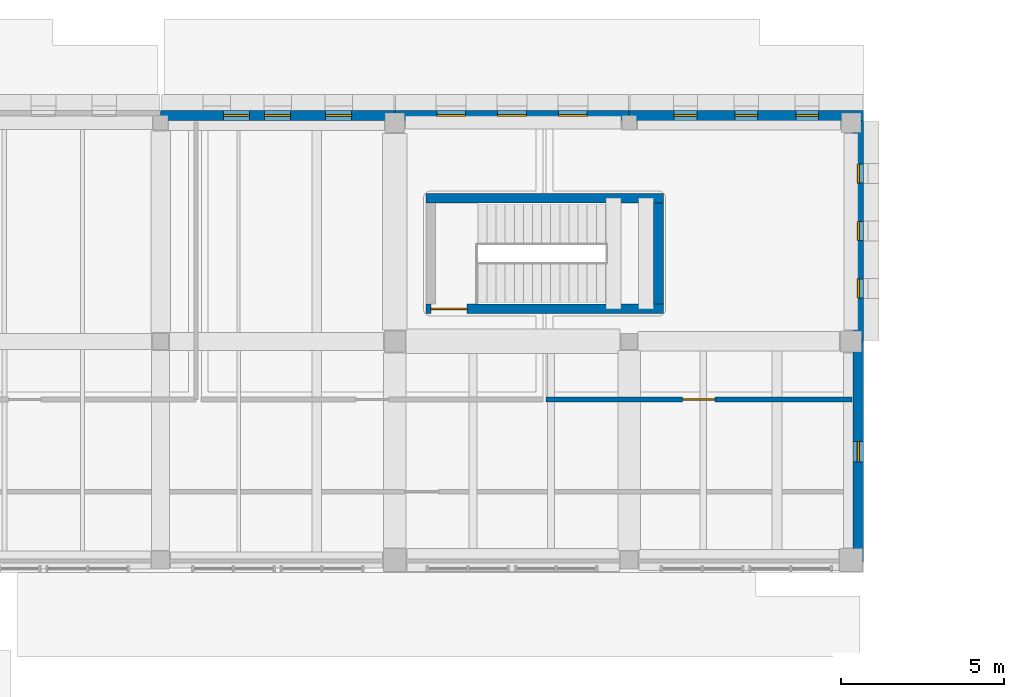
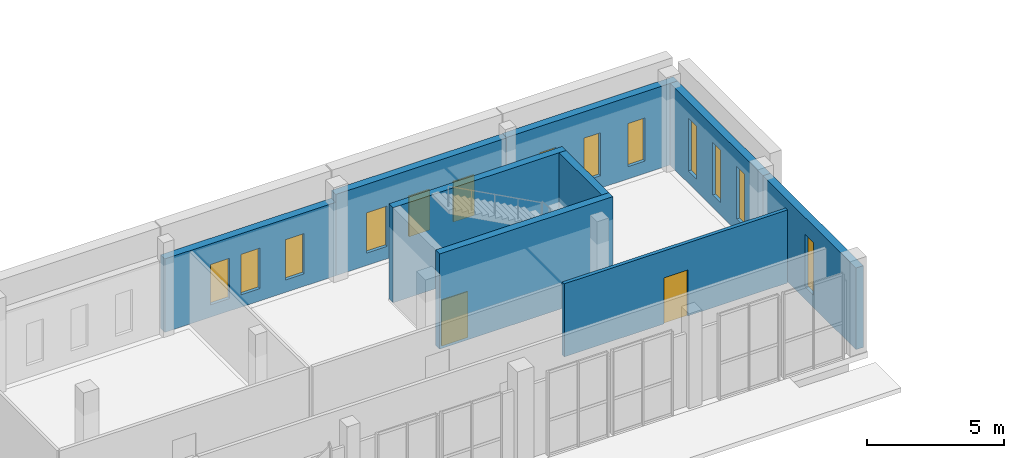
# One storey, part 58 of 77: 13 windows, 9 walls, 2 doors, 15 openings.
"""IFC4 building model written with IfcOpenShell, lengths in metres."""

from ifc_helpers import new_model, si_unit, direction, frame, frame_2d, origin, place, context, subcontext, project, spatial, rectangle, extrude, material, layer, layer_set, type_object, element, fill, save


model = new_model("IFC4")

# Units and contexts
model_context = context("Model", 3, precision=1e-05, world=origin(), true_north=direction((0.0, 1.0)))
body_context = subcontext(model_context, "Body", "Model", "MODEL_VIEW")
ifc_project = project(units=[si_unit("LENGTHUNIT", "METRE"), si_unit("AREAUNIT", "SQUARE_METRE"), si_unit("VOLUMEUNIT", "CUBIC_METRE"), si_unit("PLANEANGLEUNIT", "RADIAN"), si_unit("MASSUNIT", "GRAM", prefix="KILO")], contexts=[model_context])

# Site, building, storey
site_placement = place(None, origin())
site = spatial("IfcSite", under=ifc_project, at=site_placement, CompositionType="ELEMENT")
building_placement = place(site_placement, origin())
building = spatial("IfcBuilding", under=site, at=building_placement, Name="Vardoun Plaza Health Centre", CompositionType="ELEMENT")
storey_placement = place(building_placement, origin())
storey = spatial("IfcBuildingStorey", under=building, at=storey_placement, Name="L00", CompositionType="ELEMENT", Elevation=0.0)

# Wall, opening, door
ifc_material_1 = material(Name="Concrete C40/50", Category="concrete")
ifc_layer_1 = layer(ifc_material_1, 0.300048828125)
ifc_layer_set_1 = layer_set([ifc_layer_1], Name="Concrete C40/50")
wall_type_1 = type_object("IfcWallType", Name="SW-01", PredefinedType="SHEAR", material=ifc_layer_set_1)
wall_1_placement = place(storey_placement, frame((41.550048828125, 109.199951171875, 0.0), z_axis=(0.0, 0.0, 1.0), x_axis=(-1.0, 0.0, 0.0)))
wall_1 = element("IfcWall", 1, at=wall_1_placement, inside=storey, type_object=wall_type_1, Name="Core C4 L00 Shear Wall S", PredefinedType="SHEAR", context=body_context, shape_type="SweptSolid", body=[
    extrude(rectangle(XDim=7.300048828125, YDim=0.300048828125, at=frame_2d((3.64990234375, 0.0))), origin(), (0.0, 0.0, 1.0), 4.235107421875),
])
opening_1_placement = place(wall_1_placement, frame((6.0400390625, 0.0, 0.0)))
opening_1 = element("IfcOpeningElement", 2, at=opening_1_placement, cuts=wall_1, Name="Opening SD-C4-L00", PredefinedType="OPENING", context=body_context, shape_type="SweptSolid", body=[
    extrude(rectangle(XDim=1.10009765625, YDim=2.050048828125, at=frame_2d((0.550048828125, 1.02490234375))), frame((0.0, 0.14990234375, 0.0), z_axis=(0.0, -1.0, 0.0), x_axis=(1.0, 0.0, 0.0)), (0.0, 0.0, 1.0), 0.300048828125),
])
ifc_material_2 = material(Name="Brushed Stainless Steel Grade 316L", Category="steel")
door_type_1 = type_object("IfcDoorType", Name="FD-01", OperationType="NOTDEFINED", PredefinedType="DOOR", material=ifc_material_2)
door_1_placement = place(opening_1_placement, origin())
door_1 = element("IfcDoor", 3, at=door_1_placement, inside=storey, type_object=door_type_1, Name="Stair C4 L00 Fire Door", OperationType="SINGLE_SWING_LEFT", OverallHeight=2.050048828125, OverallWidth=1.10009765625, PredefinedType="DOOR", context=body_context, shape_type="SweptSolid", body=[
    extrude(rectangle(XDim=1.10009765625, YDim=2.050048828125, at=frame_2d((0.550048828125, 1.02490234375))), frame((0.0, 0.02490234375, 0.0), z_axis=(0.0, -1.0, 0.0), x_axis=(1.0, 0.0, 0.0)), (0.0, 0.0, 1.0), 0.050048828125),
])
fill(opening_1, door_1)

# Walls
wall_2_placement = place(storey_placement, frame((34.25, 112.60009765625, 0.0), z_axis=(0.0, 0.0, 1.0), x_axis=(1.0, 0.0, 0.0)))
element("IfcWall", 4, at=wall_2_placement, inside=storey, type_object=wall_type_1, Name="Core C4 L00 Shear Wall N", PredefinedType="SHEAR", context=body_context, shape_type="SweptSolid", body=[
    extrude(rectangle(XDim=7.300048828125, YDim=0.300048828125, at=frame_2d((3.64990234375, 0.0))), origin(), (0.0, 0.0, 1.0), 4.235107421875),
])
wall_3_placement = place(storey_placement, frame((41.39990234375, 112.449951171875, 0.0), z_axis=(0.0, 0.0, 1.0), x_axis=(0.0, -1.0, 0.0)))
element("IfcWall", 5, at=wall_3_placement, inside=storey, type_object=wall_type_1, Name="Core C4 L00 Shear Wall E", PredefinedType="SHEAR", context=body_context, shape_type="SweptSolid", body=[
    extrude(rectangle(XDim=3.099853515625, YDim=0.300048828125, at=frame_2d((1.5498046875, 0.0))), origin(), (0.0, 0.0, 1.0), 4.235107421875),
])

# Wall, openings, windows
ifc_material_3 = material(Name="Pale Limestone Concrete C35/45", Category="masonry")
ifc_layer_2 = layer(ifc_material_3, 0.31494140625)
ifc_layer_set_2 = layer_set([ifc_layer_2], Name="Pale Limestone Concrete C35/45")
wall_type_2 = type_object("IfcWallType", Name="EW-03", PredefinedType="SOLIDWALL", material=ifc_layer_set_2)
wall_4_placement = place(storey_placement, frame((26.10009765625, 115.142578125, 0.0), z_axis=(0.0, 0.0, 1.0), x_axis=(1.0, 0.0, 0.0)))
wall_4 = element("IfcWall", 6, at=wall_4_placement, inside=storey, type_object=wall_type_2, Name="V3 L00 Exterior Wall EW-V3-247", PredefinedType="SOLIDWALL", context=body_context, shape_type="SweptSolid", body=[
    extrude(rectangle(XDim=7.199951171875, YDim=0.31494140625, at=frame_2d((3.60009765625, 0.0))), origin(), (0.0, 0.0, 1.0), 3.27001953125),
])
opening_2_placement = place(wall_4_placement, frame((1.927978515625, 0.0, 0.550048828125)))
opening_2 = element("IfcOpeningElement", 7, at=opening_2_placement, cuts=wall_4, Name="Opening W-27-016", PredefinedType="OPENING", context=body_context, shape_type="SweptSolid", body=[
    extrude(rectangle(XDim=0.800048828125, YDim=1.800048828125, at=frame_2d((0.39990234375, 0.89990234375))), frame((0.0, 0.157470703125, 0.0), z_axis=(0.0, -1.0, 0.0), x_axis=(1.0, 0.0, 0.0)), (0.0, 0.0, 1.0), 0.31494140625),
])
opening_3_placement = place(wall_4_placement, frame((3.199951171875, 0.0, 0.550048828125)))
opening_3 = element("IfcOpeningElement", 8, at=opening_3_placement, cuts=wall_4, Name="Opening W-27-017", PredefinedType="OPENING", context=body_context, shape_type="SweptSolid", body=[
    extrude(rectangle(XDim=0.800048828125, YDim=1.800048828125, at=frame_2d((0.39990234375, 0.89990234375))), frame((0.0, 0.157470703125, 0.0), z_axis=(0.0, -1.0, 0.0), x_axis=(1.0, 0.0, 0.0)), (0.0, 0.0, 1.0), 0.31494140625),
])
opening_4_placement = place(wall_4_placement, frame((5.072021484375, 0.0, 0.550048828125)))
opening_4 = element("IfcOpeningElement", 9, at=opening_4_placement, cuts=wall_4, Name="Opening W-27-018", PredefinedType="OPENING", context=body_context, shape_type="SweptSolid", body=[
    extrude(rectangle(XDim=0.800048828125, YDim=1.800048828125, at=frame_2d((0.39990234375, 0.89990234375))), frame((0.0, 0.157470703125, 0.0), z_axis=(0.0, -1.0, 0.0), x_axis=(1.0, 0.0, 0.0)), (0.0, 0.0, 1.0), 0.31494140625),
])
ifc_material_4 = material(Name="Aluminium Alloy EN AW-6063-T6 and Low-E Glass", Category="aluminium")
window_type_1 = type_object("IfcWindowType", Name="W-27", PartitioningType="SINGLE_PANEL", PredefinedType="WINDOW", material=ifc_material_4)
window_1_placement = place(opening_2_placement, origin())
window_1 = element("IfcWindow", 10, at=window_1_placement, inside=storey, type_object=window_type_1, Name="V3 L00 Deep-Punched Slot Window W-27-359", OverallHeight=1.800048828125, OverallWidth=0.800048828125, PartitioningType="SINGLE_PANEL", PredefinedType="WINDOW", context=body_context, shape_type="SweptSolid", body=[
    extrude(rectangle(XDim=0.800048828125, YDim=1.800048828125, at=frame_2d((0.39990234375, 0.89990234375))), frame((0.0, 0.030029296875, 0.0), z_axis=(0.0, -1.0, 0.0), x_axis=(1.0, 0.0, 0.0)), (0.0, 0.0, 1.0), 0.06005859375),
])
fill(opening_2, window_1)
window_2_placement = place(opening_3_placement, origin())
window_2 = element("IfcWindow", 11, at=window_2_placement, inside=storey, type_object=window_type_1, Name="V3 L00 Deep-Punched Slot Window W-27-360", OverallHeight=1.800048828125, OverallWidth=0.800048828125, PartitioningType="SINGLE_PANEL", PredefinedType="WINDOW", context=body_context, shape_type="SweptSolid", body=[
    extrude(rectangle(XDim=0.800048828125, YDim=1.800048828125, at=frame_2d((0.39990234375, 0.89990234375))), frame((0.0, 0.030029296875, 0.0), z_axis=(0.0, -1.0, 0.0), x_axis=(1.0, 0.0, 0.0)), (0.0, 0.0, 1.0), 0.06005859375),
])
fill(opening_3, window_2)
window_3_placement = place(opening_4_placement, origin())
window_3 = element("IfcWindow", 12, at=window_3_placement, inside=storey, type_object=window_type_1, Name="V3 L00 Deep-Punched Slot Window W-27-361", OverallHeight=1.800048828125, OverallWidth=0.800048828125, PartitioningType="SINGLE_PANEL", PredefinedType="WINDOW", context=body_context, shape_type="SweptSolid", body=[
    extrude(rectangle(XDim=0.800048828125, YDim=1.800048828125, at=frame_2d((0.39990234375, 0.89990234375))), frame((0.0, 0.030029296875, 0.0), z_axis=(0.0, -1.0, 0.0), x_axis=(1.0, 0.0, 0.0)), (0.0, 0.0, 1.0), 0.06005859375),
])
fill(opening_4, window_3)

wall_5_placement = place(storey_placement, frame((33.300048828125, 115.142578125, 0.0), z_axis=(0.0, 0.0, 1.0), x_axis=(1.0, 0.0, 0.0)))
wall_5 = element("IfcWall", 13, at=wall_5_placement, inside=storey, type_object=wall_type_2, Name="V3 L00 Exterior Wall EW-V3-248", PredefinedType="SOLIDWALL", context=body_context, shape_type="SweptSolid", body=[
    extrude(rectangle(XDim=7.199951171875, YDim=0.31494140625, at=frame_2d((3.60009765625, 0.0))), origin(), (0.0, 0.0, 1.0), 3.6201171875),
])
opening_5_placement = place(wall_5_placement, frame((1.2880859375, 0.0, 0.550048828125)))
opening_5 = element("IfcOpeningElement", 14, at=opening_5_placement, cuts=wall_5, Name="Opening W-28-013", PredefinedType="OPENING", context=body_context, shape_type="SweptSolid", body=[
    extrude(rectangle(XDim=0.8798828125, YDim=1.800048828125, at=frame_2d((0.43994140625, 0.89990234375))), frame((0.0, 0.157470703125, 0.0), z_axis=(0.0, -1.0, 0.0), x_axis=(1.0, 0.0, 0.0)), (0.0, 0.0, 1.0), 0.31494140625),
])
opening_6_placement = place(wall_5_placement, frame((3.159912109375, 0.0, 0.550048828125)))
opening_6 = element("IfcOpeningElement", 15, at=opening_6_placement, cuts=wall_5, Name="Opening W-28-014", PredefinedType="OPENING", context=body_context, shape_type="SweptSolid", body=[
    extrude(rectangle(XDim=0.8798828125, YDim=1.800048828125, at=frame_2d((0.43994140625, 0.89990234375))), frame((0.0, 0.157470703125, 0.0), z_axis=(0.0, -1.0, 0.0), x_axis=(1.0, 0.0, 0.0)), (0.0, 0.0, 1.0), 0.31494140625),
])
opening_7_placement = place(wall_5_placement, frame((5.031982421875, 0.0, 0.550048828125)))
opening_7 = element("IfcOpeningElement", 16, at=opening_7_placement, cuts=wall_5, Name="Opening W-28-015", PredefinedType="OPENING", context=body_context, shape_type="SweptSolid", body=[
    extrude(rectangle(XDim=0.8798828125, YDim=1.800048828125, at=frame_2d((0.43994140625, 0.89990234375))), frame((0.0, 0.157470703125, 0.0), z_axis=(0.0, -1.0, 0.0), x_axis=(1.0, 0.0, 0.0)), (0.0, 0.0, 1.0), 0.31494140625),
])
ifc_material_5 = material(Name="Aluminium Alloy EN AW-6063-T6 and Low-E Glass", Category="aluminium")
window_type_2 = type_object("IfcWindowType", Name="W-28", PartitioningType="SINGLE_PANEL", PredefinedType="WINDOW", material=ifc_material_5)
window_4_placement = place(opening_5_placement, origin())
window_4 = element("IfcWindow", 17, at=window_4_placement, inside=storey, type_object=window_type_2, Name="V3 L00 Deep-Punched Slot Window W-28-362", OverallHeight=1.800048828125, OverallWidth=0.8798828125, PartitioningType="SINGLE_PANEL", PredefinedType="WINDOW", context=body_context, shape_type="SweptSolid", body=[
    extrude(rectangle(XDim=0.8798828125, YDim=1.800048828125, at=frame_2d((0.43994140625, 0.89990234375))), frame((0.0, 0.030029296875, 0.0), z_axis=(0.0, -1.0, 0.0), x_axis=(1.0, 0.0, 0.0)), (0.0, 0.0, 1.0), 0.06005859375),
])
fill(opening_5, window_4)
window_5_placement = place(opening_6_placement, origin())
window_5 = element("IfcWindow", 18, at=window_5_placement, inside=storey, type_object=window_type_2, Name="V3 L00 Deep-Punched Slot Window W-28-363", OverallHeight=1.800048828125, OverallWidth=0.8798828125, PartitioningType="SINGLE_PANEL", PredefinedType="WINDOW", context=body_context, shape_type="SweptSolid", body=[
    extrude(rectangle(XDim=0.8798828125, YDim=1.800048828125, at=frame_2d((0.43994140625, 0.89990234375))), frame((0.0, 0.030029296875, 0.0), z_axis=(0.0, -1.0, 0.0), x_axis=(1.0, 0.0, 0.0)), (0.0, 0.0, 1.0), 0.06005859375),
])
fill(opening_6, window_5)
window_6_placement = place(opening_7_placement, origin())
window_6 = element("IfcWindow", 19, at=window_6_placement, inside=storey, type_object=window_type_2, Name="V3 L00 Deep-Punched Slot Window W-28-364", OverallHeight=1.800048828125, OverallWidth=0.8798828125, PartitioningType="SINGLE_PANEL", PredefinedType="WINDOW", context=body_context, shape_type="SweptSolid", body=[
    extrude(rectangle(XDim=0.8798828125, YDim=1.800048828125, at=frame_2d((0.43994140625, 0.89990234375))), frame((0.0, 0.030029296875, 0.0), z_axis=(0.0, -1.0, 0.0), x_axis=(1.0, 0.0, 0.0)), (0.0, 0.0, 1.0), 0.06005859375),
])
fill(opening_7, window_6)

wall_6_placement = place(storey_placement, frame((40.5, 115.142578125, 0.0), z_axis=(0.0, 0.0, 1.0), x_axis=(1.0, 0.0, 0.0)))
wall_6 = element("IfcWall", 20, at=wall_6_placement, inside=storey, type_object=wall_type_2, Name="V3 L00 Exterior Wall EW-V3-249", PredefinedType="SOLIDWALL", context=body_context, shape_type="SweptSolid", body=[
    extrude(rectangle(XDim=7.199951171875, YDim=0.31494140625, at=frame_2d((3.60009765625, 0.0))), origin(), (0.0, 0.0, 1.0), 3.639892578125),
])
opening_8_placement = place(wall_6_placement, frame((1.3779296875, 0.0, 0.550048828125)))
opening_8 = element("IfcOpeningElement", 21, at=opening_8_placement, cuts=wall_6, Name="Opening W-29-012", PredefinedType="OPENING", context=body_context, shape_type="SweptSolid", body=[
    extrude(rectangle(XDim=0.699951171875, YDim=1.919921875, at=frame_2d((0.35009765625, 0.9599609375))), frame((0.0, 0.157470703125, 0.0), z_axis=(0.0, -1.0, 0.0), x_axis=(1.0, 0.0, 0.0)), (0.0, 0.0, 1.0), 0.31494140625),
])
opening_9_placement = place(wall_6_placement, frame((3.25, 0.0, 0.550048828125)))
opening_9 = element("IfcOpeningElement", 22, at=opening_9_placement, cuts=wall_6, Name="Opening W-29-013", PredefinedType="OPENING", context=body_context, shape_type="SweptSolid", body=[
    extrude(rectangle(XDim=0.699951171875, YDim=1.919921875, at=frame_2d((0.35009765625, 0.9599609375))), frame((0.0, 0.157470703125, 0.0), z_axis=(0.0, -1.0, 0.0), x_axis=(1.0, 0.0, 0.0)), (0.0, 0.0, 1.0), 0.31494140625),
])
opening_10_placement = place(wall_6_placement, frame((5.1220703125, 0.0, 0.550048828125)))
opening_10 = element("IfcOpeningElement", 23, at=opening_10_placement, cuts=wall_6, Name="Opening W-29-014", PredefinedType="OPENING", context=body_context, shape_type="SweptSolid", body=[
    extrude(rectangle(XDim=0.699951171875, YDim=1.919921875, at=frame_2d((0.35009765625, 0.9599609375))), frame((0.0, 0.157470703125, 0.0), z_axis=(0.0, -1.0, 0.0), x_axis=(1.0, 0.0, 0.0)), (0.0, 0.0, 1.0), 0.31494140625),
])
ifc_material_6 = material(Name="Aluminium Alloy EN AW-6063-T6 and Low-E Glass", Category="aluminium")
window_type_3 = type_object("IfcWindowType", Name="W-29", PartitioningType="SINGLE_PANEL", PredefinedType="WINDOW", material=ifc_material_6)
window_7_placement = place(opening_8_placement, origin())
window_7 = element("IfcWindow", 24, at=window_7_placement, inside=storey, type_object=window_type_3, Name="V3 L00 Deep-Punched Slot Window W-29-365", OverallHeight=1.919921875, OverallWidth=0.699951171875, PartitioningType="SINGLE_PANEL", PredefinedType="WINDOW", context=body_context, shape_type="SweptSolid", body=[
    extrude(rectangle(XDim=0.699951171875, YDim=1.919921875, at=frame_2d((0.35009765625, 0.9599609375))), frame((0.0, 0.030029296875, 0.0), z_axis=(0.0, -1.0, 0.0), x_axis=(1.0, 0.0, 0.0)), (0.0, 0.0, 1.0), 0.06005859375),
])
fill(opening_8, window_7)
window_8_placement = place(opening_9_placement, origin())
window_8 = element("IfcWindow", 25, at=window_8_placement, inside=storey, type_object=window_type_3, Name="V3 L00 Deep-Punched Slot Window W-29-366", OverallHeight=1.919921875, OverallWidth=0.699951171875, PartitioningType="SINGLE_PANEL", PredefinedType="WINDOW", context=body_context, shape_type="SweptSolid", body=[
    extrude(rectangle(XDim=0.699951171875, YDim=1.919921875, at=frame_2d((0.35009765625, 0.9599609375))), frame((0.0, 0.030029296875, 0.0), z_axis=(0.0, -1.0, 0.0), x_axis=(1.0, 0.0, 0.0)), (0.0, 0.0, 1.0), 0.06005859375),
])
fill(opening_9, window_8)
window_9_placement = place(opening_10_placement, origin())
window_9 = element("IfcWindow", 26, at=window_9_placement, inside=storey, type_object=window_type_3, Name="V3 L00 Deep-Punched Slot Window W-29-367", OverallHeight=1.919921875, OverallWidth=0.699951171875, PartitioningType="SINGLE_PANEL", PredefinedType="WINDOW", context=body_context, shape_type="SweptSolid", body=[
    extrude(rectangle(XDim=0.699951171875, YDim=1.919921875, at=frame_2d((0.35009765625, 0.9599609375))), frame((0.0, 0.030029296875, 0.0), z_axis=(0.0, -1.0, 0.0), x_axis=(1.0, 0.0, 0.0)), (0.0, 0.0, 1.0), 0.06005859375),
])
fill(opening_10, window_9)

wall_7_placement = place(storey_placement, frame((47.54248046875, 114.985107421875, 0.0), z_axis=(0.0, 0.0, 1.0), x_axis=(0.0, -1.0, 0.0)))
wall_7 = element("IfcWall", 27, at=wall_7_placement, inside=storey, type_object=wall_type_2, Name="V3 L00 Exterior Wall EW-V3-250", PredefinedType="SOLIDWALL", context=body_context, shape_type="SweptSolid", body=[
    extrude(rectangle(XDim=6.78515625, YDim=0.31494140625, at=frame_2d((3.392578125, 0.0))), origin(), (0.0, 0.0, 1.0), 3.639892578125),
])
opening_11_placement = place(wall_7_placement, frame((1.33837890625, 0.0, 0.550048828125)))
opening_11 = element("IfcOpeningElement", 28, at=opening_11_placement, cuts=wall_7, Name="Opening W-01-007", PredefinedType="OPENING", context=body_context, shape_type="SweptSolid", body=[
    extrude(rectangle(XDim=0.580078125, YDim=2.35009765625, at=frame_2d((0.2900390625, 1.175048828125))), frame((0.0, 0.157470703125, 0.0), z_axis=(0.0, -1.0, 0.0), x_axis=(1.0, 0.0, 0.0)), (0.0, 0.0, 1.0), 0.31494140625),
])
opening_12_placement = place(wall_7_placement, frame((3.1025390625, 0.0, 0.550048828125)))
opening_12 = element("IfcOpeningElement", 29, at=opening_12_placement, cuts=wall_7, Name="Opening W-01-008", PredefinedType="OPENING", context=body_context, shape_type="SweptSolid", body=[
    extrude(rectangle(XDim=0.580078125, YDim=2.35009765625, at=frame_2d((0.2900390625, 1.175048828125))), frame((0.0, 0.157470703125, 0.0), z_axis=(0.0, -1.0, 0.0), x_axis=(1.0, 0.0, 0.0)), (0.0, 0.0, 1.0), 0.31494140625),
])
opening_13_placement = place(wall_7_placement, frame((4.86669921875, 0.0, 0.550048828125)))
opening_13 = element("IfcOpeningElement", 30, at=opening_13_placement, cuts=wall_7, Name="Opening W-01-009", PredefinedType="OPENING", context=body_context, shape_type="SweptSolid", body=[
    extrude(rectangle(XDim=0.580078125, YDim=2.35009765625, at=frame_2d((0.2900390625, 1.175048828125))), frame((0.0, 0.157470703125, 0.0), z_axis=(0.0, -1.0, 0.0), x_axis=(1.0, 0.0, 0.0)), (0.0, 0.0, 1.0), 0.31494140625),
])
ifc_material_7 = material(Name="Aluminium Alloy EN AW-6063-T6 and Low-E Glass", Category="aluminium")
window_type_4 = type_object("IfcWindowType", Name="W-01", PartitioningType="SINGLE_PANEL", PredefinedType="WINDOW", material=ifc_material_7)
window_10_placement = place(opening_11_placement, origin())
window_10 = element("IfcWindow", 31, at=window_10_placement, inside=storey, type_object=window_type_4, Name="V3 L00 Deep-Punched Slot Window W-01-368", OverallHeight=2.35009765625, OverallWidth=0.580078125, PartitioningType="SINGLE_PANEL", PredefinedType="WINDOW", context=body_context, shape_type="SweptSolid", body=[
    extrude(rectangle(XDim=0.580078125, YDim=2.35009765625, at=frame_2d((0.2900390625, 1.175048828125))), frame((0.0, 0.030029296875, 0.0), z_axis=(0.0, -1.0, 0.0), x_axis=(1.0, 0.0, 0.0)), (0.0, 0.0, 1.0), 0.06005859375),
])
fill(opening_11, window_10)
window_11_placement = place(opening_12_placement, origin())
window_11 = element("IfcWindow", 32, at=window_11_placement, inside=storey, type_object=window_type_4, Name="V3 L00 Deep-Punched Slot Window W-01-369", OverallHeight=2.35009765625, OverallWidth=0.580078125, PartitioningType="SINGLE_PANEL", PredefinedType="WINDOW", context=body_context, shape_type="SweptSolid", body=[
    extrude(rectangle(XDim=0.580078125, YDim=2.35009765625, at=frame_2d((0.2900390625, 1.175048828125))), frame((0.0, 0.030029296875, 0.0), z_axis=(0.0, -1.0, 0.0), x_axis=(1.0, 0.0, 0.0)), (0.0, 0.0, 1.0), 0.06005859375),
])
fill(opening_12, window_11)
window_12_placement = place(opening_13_placement, origin())
window_12 = element("IfcWindow", 33, at=window_12_placement, inside=storey, type_object=window_type_4, Name="V3 L00 Deep-Punched Slot Window W-01-370", OverallHeight=2.35009765625, OverallWidth=0.580078125, PartitioningType="SINGLE_PANEL", PredefinedType="WINDOW", context=body_context, shape_type="SweptSolid", body=[
    extrude(rectangle(XDim=0.580078125, YDim=2.35009765625, at=frame_2d((0.2900390625, 1.175048828125))), frame((0.0, 0.030029296875, 0.0), z_axis=(0.0, -1.0, 0.0), x_axis=(1.0, 0.0, 0.0)), (0.0, 0.0, 1.0), 0.06005859375),
])
fill(opening_13, window_12)

# Wall, opening, window
wall_8_placement = place(storey_placement, frame((47.54248046875, 108.199951171875, 0.0), z_axis=(0.0, 0.0, 1.0), x_axis=(0.0, -1.0, 0.0)))
wall_8 = element("IfcWall", 34, at=wall_8_placement, inside=storey, type_object=wall_type_2, Name="V3 L00 Exterior Wall EW-V3-251", PredefinedType="SOLIDWALL", context=body_context, shape_type="SweptSolid", body=[
    extrude(rectangle(XDim=6.784912109375, YDim=0.31494140625, at=frame_2d((3.392578125, 0.0))), origin(), (0.0, 0.0, 1.0), 3.639892578125),
])
opening_14_placement = place(wall_8_placement, frame((3.08251953125, 0.0, 0.550048828125)))
opening_14 = element("IfcOpeningElement", 35, at=opening_14_placement, cuts=wall_8, Name="Opening W-02-010", PredefinedType="OPENING", context=body_context, shape_type="SweptSolid", body=[
    extrude(rectangle(XDim=0.6201171875, YDim=2.35009765625, at=frame_2d((0.31005859375, 1.175048828125))), frame((0.0, 0.157470703125, 0.0), z_axis=(0.0, -1.0, 0.0), x_axis=(1.0, 0.0, 0.0)), (0.0, 0.0, 1.0), 0.31494140625),
])
ifc_material_8 = material(Name="Aluminium Alloy EN AW-6063-T6 and Low-E Glass", Category="aluminium")
window_type_5 = type_object("IfcWindowType", Name="W-02", PartitioningType="SINGLE_PANEL", PredefinedType="WINDOW", material=ifc_material_8)
window_13_placement = place(opening_14_placement, origin())
window_13 = element("IfcWindow", 36, at=window_13_placement, inside=storey, type_object=window_type_5, Name="V3 L00 Deep-Punched Slot Window W-02-372", OverallHeight=2.35009765625, OverallWidth=0.6201171875, PartitioningType="SINGLE_PANEL", PredefinedType="WINDOW", context=body_context, shape_type="SweptSolid", body=[
    extrude(rectangle(XDim=0.6201171875, YDim=2.35009765625, at=frame_2d((0.31005859375, 1.175048828125))), frame((0.0, 0.030029296875, 0.0), z_axis=(0.0, -1.0, 0.0), x_axis=(1.0, 0.0, 0.0)), (0.0, 0.0, 1.0), 0.06005859375),
])
fill(opening_14, window_13)

# Wall, opening, door
ifc_material_9 = material(Name="Acoustic Gypsum Twin-Stud", Category="steel")
ifc_layer_3 = layer(ifc_material_9, 0.14990234375)
ifc_layer_set_3 = layer_set([ifc_layer_3], Name="Acoustic Gypsum Twin-Stud")
wall_type_3 = type_object("IfcWallType", Name="IW-04", PredefinedType="PARTITIONING", material=ifc_layer_set_3)
wall_9_placement = place(storey_placement, frame((47.35009765625, 106.419921875, 0.0), z_axis=(0.0, 0.0, 1.0), x_axis=(-1.0, 0.0, 0.0)))
wall_9 = element("IfcWall", 37, at=wall_9_placement, inside=storey, type_object=wall_type_3, Name="Lactation and Baby Care Room Partition Wall", PredefinedType="PARTITIONING", context=body_context, shape_type="SweptSolid", body=[
    extrude(rectangle(XDim=9.41015625, YDim=0.14990234375, at=frame_2d((4.705078125, 0.0))), origin(), (0.0, 0.0, 1.0), 3.2548828125),
])
opening_15_placement = place(wall_9_placement, frame((4.205078125, 0.0, 0.0)))
opening_15 = element("IfcOpeningElement", 38, at=opening_15_placement, cuts=wall_9, Name="Opening D-L00-085", PredefinedType="OPENING", context=body_context, shape_type="SweptSolid", body=[
    extrude(rectangle(XDim=1.0, YDim=2.050048828125, at=frame_2d((0.5, 1.02490234375))), frame((0.0, 0.074951171875, 0.0), z_axis=(0.0, -1.0, 0.0), x_axis=(1.0, 0.0, 0.0)), (0.0, 0.0, 1.0), 0.14990234375),
])
ifc_material_10 = material(Name="Antimicrobial Acoustic Timber and Steel S275JR", Category="steel")
door_type_2 = type_object("IfcDoorType", Name="CD-03", OperationType="NOTDEFINED", PredefinedType="DOOR", material=ifc_material_10)
door_2_placement = place(opening_15_placement, origin())
door_2 = element("IfcDoor", 39, at=door_2_placement, inside=storey, type_object=door_type_2, Name="Lactation and Baby Care Room Door D-L00-085", OperationType="SINGLE_SWING_LEFT", OverallHeight=2.050048828125, OverallWidth=1.0, PredefinedType="DOOR", context=body_context, shape_type="SweptSolid", body=[
    extrude(rectangle(XDim=1.0, YDim=2.050048828125, at=frame_2d((0.5, 1.02490234375))), frame((0.0, 0.02490234375, 0.0), z_axis=(0.0, -1.0, 0.0), x_axis=(1.0, 0.0, 0.0)), (0.0, 0.0, 1.0), 0.050048828125),
])
fill(opening_15, door_2)

save(model, "model.ifc")
